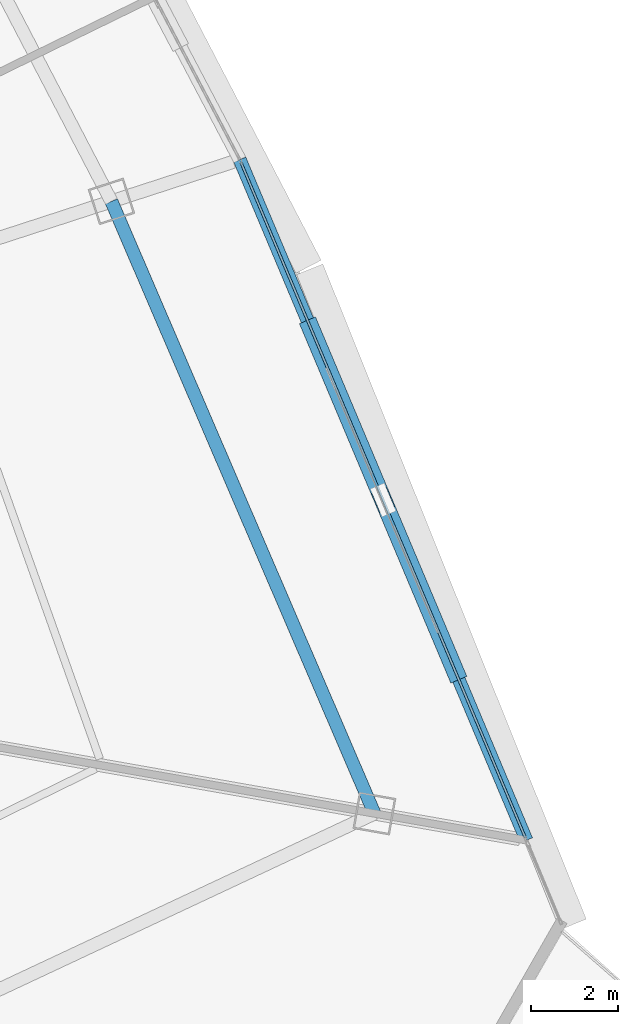
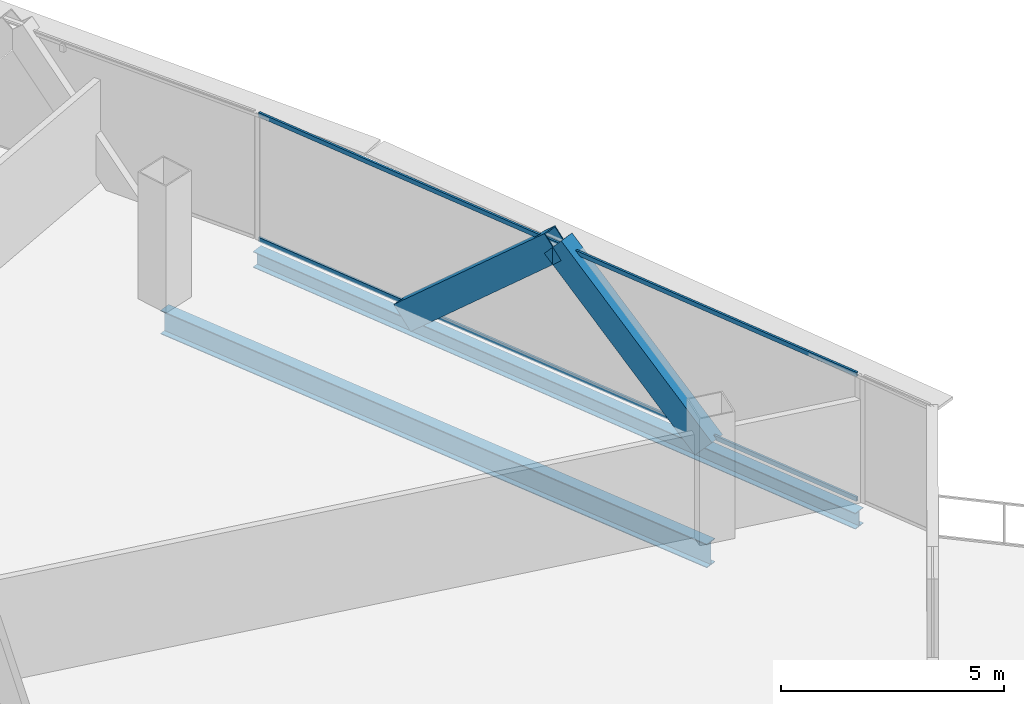
# One storey, part 22 of 34: 4 members, 2 beams, 1 element without a shape of its own.
"""IFC4 building model written with IfcOpenShell, lengths in metres."""

from ifc_helpers import new_model, si_unit, direction, frame, origin, origin_2d, place, context, subcontext, project, spatial, hollow_rectangle, i_section, extrude, source, transform, mapped, material, layer, layer_set, material_profile, profile_set, type_object, element, aggregate, save


model = new_model("IFC4")

# Units and contexts
model_context = context("Model", 3, precision=1e-05, world=origin(), true_north=direction((0.0, 1.0)))
body_context = subcontext(model_context, "Body", "Model", "MODEL_VIEW")
ifc_project = project(units=[si_unit("LENGTHUNIT", "METRE"), si_unit("AREAUNIT", "SQUARE_METRE"), si_unit("VOLUMEUNIT", "CUBIC_METRE"), si_unit("PLANEANGLEUNIT", "RADIAN"), si_unit("MASSUNIT", "GRAM", prefix="KILO"), si_unit("THERMODYNAMICTEMPERATUREUNIT", "KELVIN"), si_unit("POWERUNIT", "WATT")], contexts=[model_context])

# Site, building, storey
site_placement = place(None, origin())
site = spatial("IfcSite", under=ifc_project, at=site_placement, CompositionType="ELEMENT")
building_placement = place(site_placement, origin())
building = spatial("IfcBuilding", under=site, at=building_placement, Name="Yunzhuo Pagoda Commons", CompositionType="ELEMENT")
storey_placement = place(building_placement, frame((0.0, 0.0, 229.610107421875)))
storey = spatial("IfcBuildingStorey", under=building, at=storey_placement, Name="L57", CompositionType="ELEMENT", Elevation=229.610107421875)

# Beams
ifc_material_1 = material(Name="Structural steel Q355B", Category="steel")
ifc_material_profile_1 = material_profile(ifc_material_1, i_section(OverallWidth=0.300048828125, OverallDepth=0.43994140625, WebThickness=0.010986328125, FlangeThickness=0.01806640625, at=origin_2d()), Name="Structural steel Q355B")
ifc_profile_set_1 = profile_set([ifc_material_profile_1], Name="Structural steel Q355B")
beam_type_1 = type_object("IfcBeamType", Name="B-SP2 Beam HM 440x300x11x18", PredefinedType="BEAM", material=ifc_profile_set_1)
shared_shape_1 = source(origin(), body_context, "Body", "SweptSolid", [
    extrude(i_section(OverallWidth=0.300048828125, OverallDepth=0.43994140625, WebThickness=0.010986328125, FlangeThickness=0.01806640625, at=origin_2d()), origin(), (0.0, 0.0, 1.0), 16.947021484375),
])
beam_1_placement = place(storey_placement, frame((83.422607421875, 27.4541015625, -0.480224609375), z_axis=(-0.388172279694, 0.921586827856, 0.0), x_axis=(-0.921586827856, -0.388172279694, 0.0)))
element("IfcBeam", 1, at=beam_1_placement, inside=storey, type_object=beam_type_1, Name="L57 facade edge spandrel beam F2.1", PredefinedType="BEAM", context=body_context, shape_type="MappedRepresentation", body=[
    mapped(shared_shape_1, transform((0.0, 0.0, 0.0), scale=1.0)),
])
ifc_material_profile_2 = material_profile(ifc_material_1, i_section(OverallWidth=0.300048828125, OverallDepth=0.64990234375, WebThickness=0.012939453125, FlangeThickness=0.02197265625, at=origin_2d()), Name="Structural steel Q355B")
ifc_profile_set_2 = profile_set([ifc_material_profile_2], Name="Structural steel Q355B")
beam_type_2 = type_object("IfcBeamType", Name="B-RG2 Beam HN 650x300x13x22", PredefinedType="BEAM", material=ifc_profile_set_2)
shared_shape_2 = source(origin(), body_context, "Body", "SweptSolid", [
    extrude(i_section(OverallWidth=0.300048828125, OverallDepth=0.64990234375, WebThickness=0.012939453125, FlangeThickness=0.02197265625, at=origin_2d()), origin(), (0.0, 0.0, 1.0), 15.28759765625),
])
beam_2_placement = place(storey_placement, frame((79.93408203125, 28.069091796875, -0.585205078125), z_axis=(-0.394788372839, 0.918772083093, 0.0), x_axis=(-0.918772083093, -0.394788372839, 0.0)))
element("IfcBeam", 2, at=beam_2_placement, inside=storey, type_object=beam_type_2, Name="L57 column-ring beam 5", PredefinedType="BEAM", context=body_context, shape_type="MappedRepresentation", body=[
    mapped(shared_shape_2, transform((0.0, 0.0, 0.0), scale=1.0)),
])

# Members
ifc_material_profile_3 = material_profile(ifc_material_1, hollow_rectangle(XDim=0.39990234375, YDim=0.719970703125, WallThickness=0.02392578125, at=origin_2d()), Name="Structural steel Q355B")
ifc_profile_set_3 = profile_set([ifc_material_profile_3], Name="Structural steel Q355B")
member_type_1 = type_object("IfcMemberType", Name="M-DL2 Brace BOX 720x400x24", PredefinedType="BRACE", material=ifc_profile_set_3)
shared_shape_3 = source(origin(), body_context, "Body", "SweptSolid", [
    extrude(hollow_rectangle(XDim=0.39990234375, YDim=0.719970703125, WallThickness=0.02392578125, at=origin_2d()), origin(), (0.0, 0.0, 1.0), 5.644775390625),
])
member_1_placement = place(storey_placement, frame((81.778076171875, 31.358642578125, -0.260009765625), z_axis=(-0.291380168499, 0.691708926051, 0.660784654049), x_axis=(-0.921571366712, -0.388208985027, 0.0)))
element("IfcMember", 3, at=member_1_placement, inside=storey, type_object=member_type_1, Name="L57 facade diamond brace F2.1L", PredefinedType="BRACE", context=body_context, shape_type="MappedRepresentation", body=[
    mapped(shared_shape_3, transform((0.0, 0.0, 0.0), scale=1.0)),
])
shared_shape_4 = source(origin(), body_context, "Body", "SweptSolid", [
    extrude(hollow_rectangle(XDim=0.39990234375, YDim=0.719970703125, WallThickness=0.02392578125, at=origin_2d()), origin(), (0.0, 0.0, 1.0), 5.64453125),
])
member_2_placement = place(storey_placement, frame((78.489013671875, 39.167724609375, -0.260009765625), z_axis=(0.291301008228, -0.691726358514, 0.660801307158), x_axis=(0.921612594332, 0.388111100033, 0.0)))
element("IfcMember", 4, at=member_2_placement, inside=storey, type_object=member_type_1, Name="L57 facade diamond brace F2.1R", PredefinedType="BRACE", context=body_context, shape_type="MappedRepresentation", body=[
    mapped(shared_shape_4, transform((0.0, 0.0, 0.0), scale=1.0)),
])

# Curtain wall, members
ifc_material_2 = material(Name="Anodized aluminium 6063-T6", Category="aluminium")
ifc_layer = layer(ifc_material_2, 0.139892578125)
ifc_layer_set = layer_set([ifc_layer], Name="Anodized aluminium 6063-T6")
curtain_wall_type = type_object("IfcCurtainWallType", Name="CW-HI High-Zone Ribbon Curtain Wall", PredefinedType="NOTDEFINED", material=ifc_layer_set)
curtain_wall_placement = place(storey_placement, origin())
curtain_wall = element("IfcCurtainWall", 5, at=curtain_wall_placement, inside=storey, type_object=curtain_wall_type, Name="L57 curtain wall CW-L57-F2B2", PredefinedType="NOTDEFINED")
ifc_material_profile_4 = material_profile(ifc_material_2, hollow_rectangle(XDim=0.054931640625, YDim=0.1201171875, WallThickness=0.00341796875, at=origin_2d()), Name="Anodized aluminium 6063-T6")
ifc_profile_set_4 = profile_set([ifc_material_profile_4], Name="Anodized aluminium 6063-T6")
member_type_2 = type_object("IfcMemberType", Name="CW-HI-T Transom RHS 120x55x3.5", PredefinedType="USERDEFINED", material=ifc_profile_set_4)
shared_shape_5 = source(origin(), body_context, "Body", "SweptSolid", [
    extrude(hollow_rectangle(XDim=0.054931640625, YDim=0.1201171875, WallThickness=0.00341796875, at=origin_2d()), origin(), (0.0, 0.0, 1.0), 16.826904296875),
])
member_3_placement = place(storey_placement, frame((83.399169921875, 27.50927734375, 0.02734375), z_axis=(-0.388157536134, 0.921593037703, 0.0), x_axis=(-0.921593037703, -0.388157536134, 0.0)))
member_3 = element("IfcMember", 6, at=member_3_placement, type_object=member_type_2, Name="CW transom 1.1", ObjectType="TRANSOM", PredefinedType="USERDEFINED", context=body_context, shape_type="MappedRepresentation", body=[
    mapped(shared_shape_5, transform((0.0, 0.0, 0.0), scale=1.0)),
])
member_4_placement = place(storey_placement, frame((83.399169921875, 27.50927734375, 3.4423828125), z_axis=(-0.388157536134, 0.921593037703, 0.0), x_axis=(-0.921593037703, -0.388157536134, 0.0)))
member_4 = element("IfcMember", 7, at=member_4_placement, type_object=member_type_2, Name="CW transom 1.2", ObjectType="TRANSOM", PredefinedType="USERDEFINED", context=body_context, shape_type="MappedRepresentation", body=[
    mapped(shared_shape_5, transform((0.0, 0.0, 0.0), scale=1.0)),
])
aggregate(curtain_wall, [member_3, member_4])

save(model, "model.ifc")
